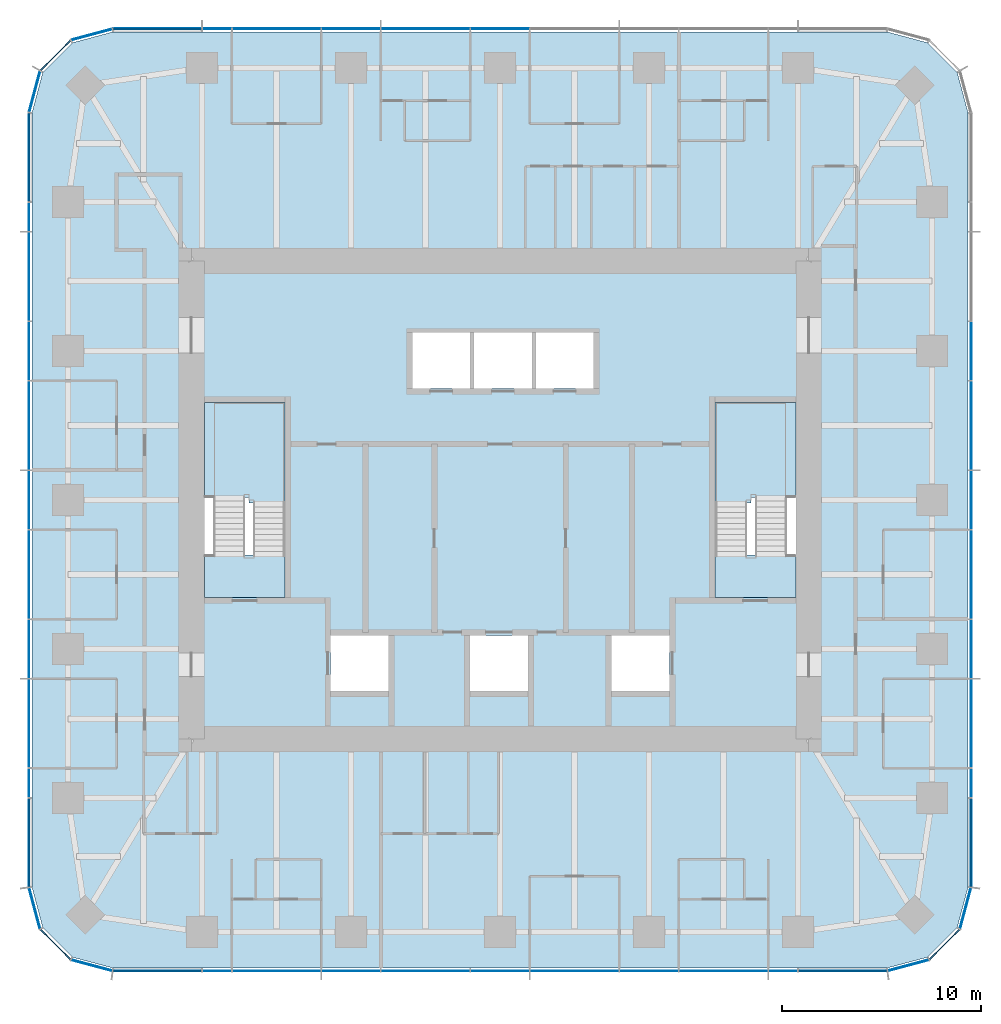
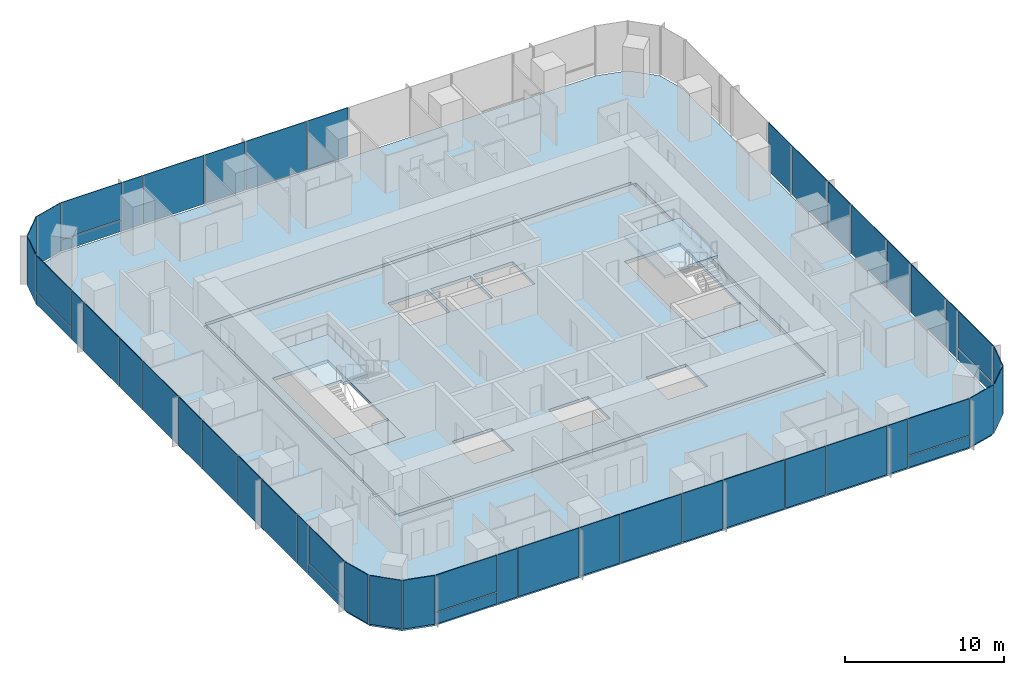
# One storey, part 7 of 12: 51 plates, 6 slabs, 9 elements without a shape of their own.
"""IFC4 building model written with IfcOpenShell, lengths in metres."""

from ifc_helpers import new_model, si_unit, direction, frame, origin, origin_2d, place, context, subcontext, project, spatial, polyline, rectangle, outline, extrude, material, layer, layer_set, type_object, element, aggregate, save


model = new_model("IFC4")

# Units and contexts
model_context = context("Model", 3, precision=1e-05, world=origin(), true_north=direction((0.0, 1.0)))
body_context = subcontext(model_context, "Body", "Model", "MODEL_VIEW")
ifc_project = project(units=[si_unit("LENGTHUNIT", "METRE"), si_unit("AREAUNIT", "SQUARE_METRE"), si_unit("VOLUMEUNIT", "CUBIC_METRE"), si_unit("PLANEANGLEUNIT", "RADIAN"), si_unit("MASSUNIT", "GRAM", prefix="KILO")], contexts=[model_context])

# Site, building, storey
site_placement = place(None, origin())
site = spatial("IfcSite", under=ifc_project, at=site_placement, CompositionType="ELEMENT")
building_placement = place(site_placement, origin())
building = spatial("IfcBuilding", under=site, at=building_placement, Name="Khuree Lantern Residences", CompositionType="ELEMENT")
storey_placement = place(building_placement, frame((0.0, 0.0, 312.0)))
storey = spatial("IfcBuildingStorey", under=building, at=storey_placement, Name="L78", CompositionType="ELEMENT", Elevation=312.0)

# Slab
ifc_material_1 = material(Name="Concrete C35/45", Category="concrete")
ifc_layer_1 = layer(ifc_material_1, 0.25)
ifc_layer_set_1 = layer_set([ifc_layer_1], Name="CFL250 CORE FLOOR SLAB 250")
slab_type_1 = type_object("IfcSlabType", Name="CFL250 CORE FLOOR SLAB 250", PredefinedType="FLOOR", material=ifc_layer_set_1)
slab_1_placement = place(storey_placement, frame((0.0, 0.0, -0.25)))
element("IfcSlab", 1, at=slab_1_placement, inside=storey, type_object=slab_type_1, Name="Core floor L78", PredefinedType="FLOOR", context=body_context, shape_type="SweptSolid", body=[
    extrude(outline(polyline([(-15.5, -12.0), (-15.5, 12.0), (15.5, 12.0), (15.5, -12.0), (-15.5, -12.0)]), holes=[polyline([(10.800048828125, 4.89990234375), (10.800048828125, -4.89990234375), (14.85009765625, -4.89990234375), (14.85009765625, 4.89990234375), (10.800048828125, 4.89990234375)]), polyline([(5.60009765625, -6.800048828125), (5.60009765625, -9.60009765625), (8.5, -9.60009765625), (8.5, -6.800048828125), (5.60009765625, -6.800048828125)]), polyline([(1.800048828125, 8.39990234375), (1.800048828125, 5.60009765625), (4.699951171875, 5.60009765625), (4.699951171875, 8.39990234375), (1.800048828125, 8.39990234375)]), polyline([(-1.300048828125, 8.39990234375), (-1.300048828125, 5.60009765625), (1.60009765625, 5.60009765625), (1.60009765625, 8.39990234375), (-1.300048828125, 8.39990234375)]), polyline([(-1.5, -6.800048828125), (-1.5, -9.60009765625), (1.39990234375, -9.60009765625), (1.39990234375, -6.800048828125), (-1.5, -6.800048828125)]), polyline([(-4.39990234375, 8.39990234375), (-4.39990234375, 5.60009765625), (-1.5, 5.60009765625), (-1.5, 8.39990234375), (-4.39990234375, 8.39990234375)]), polyline([(-8.5, -6.800048828125), (-8.5, -9.60009765625), (-5.60009765625, -9.60009765625), (-5.60009765625, -6.800048828125), (-8.5, -6.800048828125)]), polyline([(-14.85009765625, 4.89990234375), (-14.85009765625, -4.89990234375), (-10.800048828125, -4.89990234375), (-10.800048828125, 4.89990234375), (-14.85009765625, 4.89990234375)])]), origin(), (0.0, 0.0, 1.0), 0.25),
])

# Curtain wall, plates
ifc_material_2 = material(Name="Bronze anodised aluminium", Category="aluminium")
curtain_wall_type_1 = type_object("IfcCurtainWallType", Name="CW-T2 TOWER CORNER CURTAIN WALL", PredefinedType="USERDEFINED", material=ifc_material_2)
curtain_wall_1_placement = place(storey_placement, origin())
curtain_wall_1 = element("IfcCurtainWall", 2, at=curtain_wall_1_placement, inside=storey, type_object=curtain_wall_type_1, Name="L78 SOUTH-EAST CORNER CURTAIN WALL", ObjectType="Faceted corner curtain wall", PredefinedType="USERDEFINED")
ifc_material_3 = material(Name="Bronze tinted triple glazing", Category="glass")
ifc_layer_2 = layer(ifc_material_3, 0.048095703125)
ifc_layer_set_2 = layer_set([ifc_layer_2], Name="FACET PANEL P4")
plate_type_1 = type_object("IfcPlateType", Name="FACET PANEL P4", PredefinedType="CURTAIN_PANEL", material=ifc_layer_set_2)
plate_1_placement = place(storey_placement, frame((20.498046875, -23.369140625, 0.0), z_axis=(0.0, 0.0, 1.0), x_axis=(0.965925861257, 0.2588189146, 0.0)))
plate_1 = element("IfcPlate", 3, at=plate_1_placement, type_object=plate_type_1, Name="L78 SOUTH-EAST CORNER PANEL 1.1", PredefinedType="CURTAIN_PANEL", context=body_context, shape_type="SweptSolid", body=[
    extrude(rectangle(XDim=2.09814453125, YDim=0.048095703125, at=origin_2d()), origin(), (0.0, 0.0, 1.0), 3.75),
])
plate_2_placement = place(storey_placement, frame((22.318603515625, -22.318603515625, 0.0), z_axis=(0.0, 0.0, 1.0), x_axis=(0.707106781187, 0.707106781187, 0.0)))
plate_2 = element("IfcPlate", 4, at=plate_2_placement, type_object=plate_type_1, Name="L78 SOUTH-EAST CORNER PANEL 2.1", PredefinedType="CURTAIN_PANEL", context=body_context, shape_type="SweptSolid", body=[
    extrude(rectangle(XDim=2.093994140625, YDim=0.048095703125, at=origin_2d()), origin(), (0.0, 0.0, 1.0), 3.75),
])
plate_3_placement = place(storey_placement, frame((23.369140625, -20.498046875, 0.0), z_axis=(0.0, 0.0, 1.0), x_axis=(0.2588189146, 0.965925861257, 0.0)))
plate_3 = element("IfcPlate", 5, at=plate_3_placement, type_object=plate_type_1, Name="L78 SOUTH-EAST CORNER PANEL 3.1", PredefinedType="CURTAIN_PANEL", context=body_context, shape_type="SweptSolid", body=[
    extrude(rectangle(XDim=2.09814453125, YDim=0.048095703125, at=origin_2d()), origin(), (0.0, 0.0, 1.0), 3.75),
])
aggregate(curtain_wall_1, [plate_1, plate_2, plate_3])

curtain_wall_2_placement = place(storey_placement, origin())
curtain_wall_2 = element("IfcCurtainWall", 6, at=curtain_wall_2_placement, inside=storey, type_object=curtain_wall_type_1, Name="L78 NORTH-WEST CORNER CURTAIN WALL", ObjectType="Faceted corner curtain wall", PredefinedType="USERDEFINED")
plate_4_placement = place(storey_placement, frame((-20.498046875, 23.369140625, 0.0), z_axis=(0.0, 0.0, 1.0), x_axis=(-0.965925861257, -0.2588189146, 0.0)))
plate_4 = element("IfcPlate", 7, at=plate_4_placement, type_object=plate_type_1, Name="L78 NORTH-WEST CORNER PANEL 29.1", PredefinedType="CURTAIN_PANEL", context=body_context, shape_type="SweptSolid", body=[
    extrude(rectangle(XDim=2.09814453125, YDim=0.048095703125, at=origin_2d()), origin(), (0.0, 0.0, 1.0), 3.75),
])
plate_5_placement = place(storey_placement, frame((-22.318603515625, 22.318603515625, 0.0), z_axis=(0.0, 0.0, 1.0), x_axis=(-0.707106781187, -0.707106781187, 0.0)))
plate_5 = element("IfcPlate", 8, at=plate_5_placement, type_object=plate_type_1, Name="L78 NORTH-WEST CORNER PANEL 30.1", PredefinedType="CURTAIN_PANEL", context=body_context, shape_type="SweptSolid", body=[
    extrude(rectangle(XDim=2.093994140625, YDim=0.048095703125, at=origin_2d()), origin(), (0.0, 0.0, 1.0), 3.75),
])
plate_6_placement = place(storey_placement, frame((-23.369140625, 20.498046875, 0.0), z_axis=(0.0, 0.0, 1.0), x_axis=(-0.2588189146, -0.965925861257, 0.0)))
plate_6 = element("IfcPlate", 9, at=plate_6_placement, type_object=plate_type_1, Name="L78 NORTH-WEST CORNER PANEL 31.1", PredefinedType="CURTAIN_PANEL", context=body_context, shape_type="SweptSolid", body=[
    extrude(rectangle(XDim=2.09814453125, YDim=0.048095703125, at=origin_2d()), origin(), (0.0, 0.0, 1.0), 3.75),
])
aggregate(curtain_wall_2, [plate_4, plate_5, plate_6])

curtain_wall_3_placement = place(storey_placement, origin())
curtain_wall_3 = element("IfcCurtainWall", 10, at=curtain_wall_3_placement, inside=storey, type_object=curtain_wall_type_1, Name="L78 SOUTH-WEST CORNER CURTAIN WALL", ObjectType="Faceted corner curtain wall", PredefinedType="USERDEFINED")
plate_7_placement = place(storey_placement, frame((-23.369140625, -20.498046875, 0.0), z_axis=(0.0, 0.0, 1.0), x_axis=(0.2588189146, -0.965925861257, 0.0)))
plate_7 = element("IfcPlate", 11, at=plate_7_placement, type_object=plate_type_1, Name="L78 SOUTH-WEST CORNER PANEL 43.1", PredefinedType="CURTAIN_PANEL", context=body_context, shape_type="SweptSolid", body=[
    extrude(rectangle(XDim=2.09814453125, YDim=0.048095703125, at=origin_2d()), origin(), (0.0, 0.0, 1.0), 3.75),
])
plate_8_placement = place(storey_placement, frame((-22.318603515625, -22.318603515625, 0.0), z_axis=(0.0, 0.0, 1.0), x_axis=(0.707106781187, -0.707106781187, 0.0)))
plate_8 = element("IfcPlate", 12, at=plate_8_placement, type_object=plate_type_1, Name="L78 SOUTH-WEST CORNER PANEL 44.1", PredefinedType="CURTAIN_PANEL", context=body_context, shape_type="SweptSolid", body=[
    extrude(rectangle(XDim=2.093994140625, YDim=0.048095703125, at=origin_2d()), origin(), (0.0, 0.0, 1.0), 3.75),
])
plate_9_placement = place(storey_placement, frame((-20.498046875, -23.369140625, 0.0), z_axis=(0.0, 0.0, 1.0), x_axis=(0.965925861257, -0.2588189146, 0.0)))
plate_9 = element("IfcPlate", 13, at=plate_9_placement, type_object=plate_type_1, Name="L78 SOUTH-WEST CORNER PANEL 45.1", PredefinedType="CURTAIN_PANEL", context=body_context, shape_type="SweptSolid", body=[
    extrude(rectangle(XDim=2.09814453125, YDim=0.048095703125, at=origin_2d()), origin(), (0.0, 0.0, 1.0), 3.75),
])
aggregate(curtain_wall_3, [plate_7, plate_8, plate_9])

curtain_wall_type_2 = type_object("IfcCurtainWallType", Name="CW-T1 TOWER FACE CURTAIN WALL", PredefinedType="USERDEFINED", material=ifc_material_2)
curtain_wall_4_placement = place(storey_placement, origin())
curtain_wall_4 = element("IfcCurtainWall", 14, at=curtain_wall_4_placement, inside=storey, type_object=curtain_wall_type_2, Name="L78 EAST FACE CURTAIN WALL", ObjectType="Stick-built curtain wall", PredefinedType="USERDEFINED")
ifc_material_4 = material(Name="Bronze tinted triple glazing with a ceramic-fritted spandrel band", Category="glass")
ifc_layer_3 = layer(ifc_material_4, 0.048095703125)
ifc_layer_set_3 = layer_set([ifc_layer_3], Name="FIXED LIGHT PANEL P11")
plate_type_2 = type_object("IfcPlateType", Name="FIXED LIGHT PANEL P11", PredefinedType="CURTAIN_PANEL", material=ifc_layer_set_3)
plate_10_placement = place(storey_placement, frame((23.64990234375, -11.219970703125, 0.0), z_axis=(0.0, 0.0, 1.0), x_axis=(0.0, 1.0, 0.0)))
plate_10 = element("IfcPlate", 15, at=plate_10_placement, type_object=plate_type_2, Name="L78 EAST FACE PANEL 6.1", PredefinedType="CURTAIN_PANEL", context=body_context, shape_type="SweptSolid", body=[
    extrude(rectangle(XDim=4.423095703125, YDim=0.048095703125, at=origin_2d()), origin(), (0.0, 0.0, 1.0), 3.75),
])
plate_11_placement = place(storey_placement, frame((23.64990234375, -3.739990234375, 0.0), z_axis=(0.0, 0.0, 1.0), x_axis=(0.0, 1.0, 0.0)))
plate_11 = element("IfcPlate", 16, at=plate_11_placement, type_object=plate_type_2, Name="L78 EAST FACE PANEL 8.1", PredefinedType="CURTAIN_PANEL", context=body_context, shape_type="SweptSolid", body=[
    extrude(rectangle(XDim=4.423095703125, YDim=0.048095703125, at=origin_2d()), origin(), (0.0, 0.0, 1.0), 3.75),
])
plate_12_placement = place(storey_placement, frame((23.64990234375, 3.739990234375, 0.0), z_axis=(0.0, 0.0, 1.0), x_axis=(0.0, 1.0, 0.0)))
plate_12 = element("IfcPlate", 17, at=plate_12_placement, type_object=plate_type_2, Name="L78 EAST FACE PANEL 10.1", PredefinedType="CURTAIN_PANEL", context=body_context, shape_type="SweptSolid", body=[
    extrude(rectangle(XDim=4.423095703125, YDim=0.048095703125, at=origin_2d()), origin(), (0.0, 0.0, 1.0), 3.75),
])

curtain_wall_5_placement = place(storey_placement, origin())
curtain_wall_5 = element("IfcCurtainWall", 18, at=curtain_wall_5_placement, inside=storey, type_object=curtain_wall_type_2, Name="L78 NORTH FACE CURTAIN WALL", ObjectType="Stick-built curtain wall", PredefinedType="USERDEFINED")
plate_13_placement = place(storey_placement, frame((-3.739990234375, 23.64990234375, 0.0), z_axis=(0.0, 0.0, 1.0), x_axis=(-1.0, 0.0, 0.0)))
plate_13 = element("IfcPlate", 19, at=plate_13_placement, type_object=plate_type_2, Name="L78 NORTH FACE PANEL 24.1", PredefinedType="CURTAIN_PANEL", context=body_context, shape_type="SweptSolid", body=[
    extrude(rectangle(XDim=4.423095703125, YDim=0.048095703125, at=origin_2d()), origin(), (0.0, 0.0, 1.0), 3.75),
])
plate_14_placement = place(storey_placement, frame((-11.219970703125, 23.64990234375, 0.0), z_axis=(0.0, 0.0, 1.0), x_axis=(-1.0, 0.0, 0.0)))
plate_14 = element("IfcPlate", 20, at=plate_14_placement, type_object=plate_type_2, Name="L78 NORTH FACE PANEL 26.1", PredefinedType="CURTAIN_PANEL", context=body_context, shape_type="SweptSolid", body=[
    extrude(rectangle(XDim=4.423095703125, YDim=0.048095703125, at=origin_2d()), origin(), (0.0, 0.0, 1.0), 3.75),
])

curtain_wall_6_placement = place(storey_placement, origin())
curtain_wall_6 = element("IfcCurtainWall", 21, at=curtain_wall_6_placement, inside=storey, type_object=curtain_wall_type_2, Name="L78 WEST FACE CURTAIN WALL", ObjectType="Stick-built curtain wall", PredefinedType="USERDEFINED")
plate_15_placement = place(storey_placement, frame((-23.64990234375, 11.219970703125, 0.0), z_axis=(0.0, 0.0, 1.0), x_axis=(0.0, -1.0, 0.0)))
plate_15 = element("IfcPlate", 22, at=plate_15_placement, type_object=plate_type_2, Name="L78 WEST FACE PANEL 34.1", PredefinedType="CURTAIN_PANEL", context=body_context, shape_type="SweptSolid", body=[
    extrude(rectangle(XDim=4.423095703125, YDim=0.048095703125, at=origin_2d()), origin(), (0.0, 0.0, 1.0), 3.75),
])
plate_16_placement = place(storey_placement, frame((-23.64990234375, 3.739990234375, 0.0), z_axis=(0.0, 0.0, 1.0), x_axis=(0.0, -1.0, 0.0)))
plate_16 = element("IfcPlate", 23, at=plate_16_placement, type_object=plate_type_2, Name="L78 WEST FACE PANEL 36.1", PredefinedType="CURTAIN_PANEL", context=body_context, shape_type="SweptSolid", body=[
    extrude(rectangle(XDim=4.423095703125, YDim=0.048095703125, at=origin_2d()), origin(), (0.0, 0.0, 1.0), 3.75),
])
plate_17_placement = place(storey_placement, frame((-23.64990234375, -3.739990234375, 0.0), z_axis=(0.0, 0.0, 1.0), x_axis=(0.0, -1.0, 0.0)))
plate_17 = element("IfcPlate", 24, at=plate_17_placement, type_object=plate_type_2, Name="L78 WEST FACE PANEL 38.1", PredefinedType="CURTAIN_PANEL", context=body_context, shape_type="SweptSolid", body=[
    extrude(rectangle(XDim=4.423095703125, YDim=0.048095703125, at=origin_2d()), origin(), (0.0, 0.0, 1.0), 3.75),
])
plate_18_placement = place(storey_placement, frame((-23.64990234375, -11.219970703125, 0.0), z_axis=(0.0, 0.0, 1.0), x_axis=(0.0, -1.0, 0.0)))
plate_18 = element("IfcPlate", 25, at=plate_18_placement, type_object=plate_type_2, Name="L78 WEST FACE PANEL 40.1", PredefinedType="CURTAIN_PANEL", context=body_context, shape_type="SweptSolid", body=[
    extrude(rectangle(XDim=4.423095703125, YDim=0.048095703125, at=origin_2d()), origin(), (0.0, 0.0, 1.0), 3.75),
])

curtain_wall_7_placement = place(storey_placement, origin())
curtain_wall_7 = element("IfcCurtainWall", 26, at=curtain_wall_7_placement, inside=storey, type_object=curtain_wall_type_2, Name="L78 SOUTH FACE CURTAIN WALL", ObjectType="Stick-built curtain wall", PredefinedType="USERDEFINED")
plate_19_placement = place(storey_placement, frame((-11.219970703125, -23.64990234375, 0.0), z_axis=(0.0, 0.0, 1.0), x_axis=(1.0, 0.0, 0.0)))
plate_19 = element("IfcPlate", 27, at=plate_19_placement, type_object=plate_type_2, Name="L78 SOUTH FACE PANEL 48.1", PredefinedType="CURTAIN_PANEL", context=body_context, shape_type="SweptSolid", body=[
    extrude(rectangle(XDim=4.423095703125, YDim=0.048095703125, at=origin_2d()), origin(), (0.0, 0.0, 1.0), 3.75),
])
plate_20_placement = place(storey_placement, frame((-3.739990234375, -23.64990234375, 0.0), z_axis=(0.0, 0.0, 1.0), x_axis=(1.0, 0.0, 0.0)))
plate_20 = element("IfcPlate", 28, at=plate_20_placement, type_object=plate_type_2, Name="L78 SOUTH FACE PANEL 50.1", PredefinedType="CURTAIN_PANEL", context=body_context, shape_type="SweptSolid", body=[
    extrude(rectangle(XDim=4.423095703125, YDim=0.048095703125, at=origin_2d()), origin(), (0.0, 0.0, 1.0), 3.75),
])
plate_21_placement = place(storey_placement, frame((3.739990234375, -23.64990234375, 0.0), z_axis=(0.0, 0.0, 1.0), x_axis=(1.0, 0.0, 0.0)))
plate_21 = element("IfcPlate", 29, at=plate_21_placement, type_object=plate_type_2, Name="L78 SOUTH FACE PANEL 52.1", PredefinedType="CURTAIN_PANEL", context=body_context, shape_type="SweptSolid", body=[
    extrude(rectangle(XDim=4.423095703125, YDim=0.048095703125, at=origin_2d()), origin(), (0.0, 0.0, 1.0), 3.75),
])
plate_22_placement = place(storey_placement, frame((11.219970703125, -23.64990234375, 0.0), z_axis=(0.0, 0.0, 1.0), x_axis=(1.0, 0.0, 0.0)))
plate_22 = element("IfcPlate", 30, at=plate_22_placement, type_object=plate_type_2, Name="L78 SOUTH FACE PANEL 54.1", PredefinedType="CURTAIN_PANEL", context=body_context, shape_type="SweptSolid", body=[
    extrude(rectangle(XDim=4.423095703125, YDim=0.048095703125, at=origin_2d()), origin(), (0.0, 0.0, 1.0), 3.75),
])

# Slab
ifc_layer_4 = layer(ifc_material_1, 0.25)
ifc_layer_set_4 = layer_set([ifc_layer_4], Name="FS250 FLOOR SLAB 250")
slab_type_2 = type_object("IfcSlabType", Name="FS250 FLOOR SLAB 250", PredefinedType="FLOOR", material=ifc_layer_set_4)
slab_2_placement = place(storey_placement, frame((0.0, 0.0, -0.25)))
element("IfcSlab", 31, at=slab_2_placement, inside=storey, type_object=slab_type_2, Name="Floor slab L78", PredefinedType="FLOOR", context=body_context, shape_type="SweptSolid", body=[
    extrude(outline(polyline([(-21.47509765625, -22.95751953125), (-22.95751953125, -21.47509765625), (-23.5, -19.449951171875), (-23.5, 19.449951171875), (-22.95751953125, 21.47509765625), (-21.47509765625, 22.95751953125), (-19.449951171875, 23.5), (19.449951171875, 23.5), (21.47509765625, 22.95751953125), (22.95751953125, 21.47509765625), (23.5, 19.449951171875), (23.5, -19.449951171875), (22.95751953125, -21.47509765625), (21.47509765625, -22.95751953125), (19.449951171875, -23.5), (-19.449951171875, -23.5), (-21.47509765625, -22.95751953125)]), holes=[polyline([(15.75, 12.0), (15.5, 12.0), (15.5, 12.25), (-15.5, 12.25), (-15.5, 12.0), (-15.75, 12.0), (-15.75, -12.0), (-15.5, -12.0), (-15.5, -12.25), (15.5, -12.25), (15.5, -12.0), (15.75, -12.0), (15.75, 12.0)])]), origin(), (0.0, 0.0, 1.0), 0.25),
])

# Plate
ifc_material_5 = material(Name="Bronze tinted triple glazing, two aluminium-framed sashes in one frame", Category="aluminium")
ifc_layer_5 = layer(ifc_material_5, 0.048095703125)
ifc_layer_set_5 = layer_set([ifc_layer_5], Name="SASH PAIR PANEL P12")
plate_type_3 = type_object("IfcPlateType", Name="SASH PAIR PANEL P12", PredefinedType="CURTAIN_PANEL", material=ifc_layer_set_5)
plate_23_placement = place(storey_placement, frame((23.64990234375, -7.47998046875, 0.0), z_axis=(0.0, 0.0, 1.0), x_axis=(0.0, 1.0, 0.0)))
plate_23 = element("IfcPlate", 32, at=plate_23_placement, type_object=plate_type_3, Name="L78 EAST FACE PANEL 7.1", PredefinedType="CURTAIN_PANEL", context=body_context, shape_type="SweptSolid", body=[
    extrude(rectangle(XDim=2.927001953125, YDim=0.048095703125, at=origin_2d()), origin(), (0.0, 0.0, 1.0), 3.75),
])

plate_24_placement = place(storey_placement, frame((23.64990234375, 0.0, 0.0), z_axis=(0.0, 0.0, 1.0), x_axis=(0.0, 1.0, 0.0)))
plate_24 = element("IfcPlate", 33, at=plate_24_placement, type_object=plate_type_3, Name="L78 EAST FACE PANEL 9.1", PredefinedType="CURTAIN_PANEL", context=body_context, shape_type="SweptSolid", body=[
    extrude(rectangle(XDim=2.927001953125, YDim=0.048095703125, at=origin_2d()), origin(), (0.0, 0.0, 1.0), 3.75),
])

plate_25_placement = place(storey_placement, frame((23.64990234375, 7.47998046875, 0.0), z_axis=(0.0, 0.0, 1.0), x_axis=(0.0, 1.0, 0.0)))
plate_25 = element("IfcPlate", 34, at=plate_25_placement, type_object=plate_type_3, Name="L78 EAST FACE PANEL 11.1", PredefinedType="CURTAIN_PANEL", context=body_context, shape_type="SweptSolid", body=[
    extrude(rectangle(XDim=2.927001953125, YDim=0.048095703125, at=origin_2d()), origin(), (0.0, 0.0, 1.0), 3.75),
])

plate_26_placement = place(storey_placement, frame((0.0, 23.64990234375, 0.0), z_axis=(0.0, 0.0, 1.0), x_axis=(-1.0, 0.0, 0.0)))
plate_26 = element("IfcPlate", 35, at=plate_26_placement, type_object=plate_type_3, Name="L78 NORTH FACE PANEL 23.1", PredefinedType="CURTAIN_PANEL", context=body_context, shape_type="SweptSolid", body=[
    extrude(rectangle(XDim=2.927001953125, YDim=0.048095703125, at=origin_2d()), origin(), (0.0, 0.0, 1.0), 3.75),
])

plate_27_placement = place(storey_placement, frame((-7.47998046875, 23.64990234375, 0.0), z_axis=(0.0, 0.0, 1.0), x_axis=(-1.0, 0.0, 0.0)))
plate_27 = element("IfcPlate", 36, at=plate_27_placement, type_object=plate_type_3, Name="L78 NORTH FACE PANEL 25.1", PredefinedType="CURTAIN_PANEL", context=body_context, shape_type="SweptSolid", body=[
    extrude(rectangle(XDim=2.927001953125, YDim=0.048095703125, at=origin_2d()), origin(), (0.0, 0.0, 1.0), 3.75),
])

plate_28_placement = place(storey_placement, frame((-23.64990234375, 7.47998046875, 0.0), z_axis=(0.0, 0.0, 1.0), x_axis=(0.0, -1.0, 0.0)))
plate_28 = element("IfcPlate", 37, at=plate_28_placement, type_object=plate_type_3, Name="L78 WEST FACE PANEL 35.1", PredefinedType="CURTAIN_PANEL", context=body_context, shape_type="SweptSolid", body=[
    extrude(rectangle(XDim=2.927001953125, YDim=0.048095703125, at=origin_2d()), origin(), (0.0, 0.0, 1.0), 3.75),
])

plate_29_placement = place(storey_placement, frame((-23.64990234375, 0.0, 0.0), z_axis=(0.0, 0.0, 1.0), x_axis=(0.0, -1.0, 0.0)))
plate_29 = element("IfcPlate", 38, at=plate_29_placement, type_object=plate_type_3, Name="L78 WEST FACE PANEL 37.1", PredefinedType="CURTAIN_PANEL", context=body_context, shape_type="SweptSolid", body=[
    extrude(rectangle(XDim=2.927001953125, YDim=0.048095703125, at=origin_2d()), origin(), (0.0, 0.0, 1.0), 3.75),
])

plate_30_placement = place(storey_placement, frame((-23.64990234375, -7.47998046875, 0.0), z_axis=(0.0, 0.0, 1.0), x_axis=(0.0, -1.0, 0.0)))
plate_30 = element("IfcPlate", 39, at=plate_30_placement, type_object=plate_type_3, Name="L78 WEST FACE PANEL 39.1", PredefinedType="CURTAIN_PANEL", context=body_context, shape_type="SweptSolid", body=[
    extrude(rectangle(XDim=2.927001953125, YDim=0.048095703125, at=origin_2d()), origin(), (0.0, 0.0, 1.0), 3.75),
])

plate_31_placement = place(storey_placement, frame((-7.47998046875, -23.64990234375, 0.0), z_axis=(0.0, 0.0, 1.0), x_axis=(1.0, 0.0, 0.0)))
plate_31 = element("IfcPlate", 40, at=plate_31_placement, type_object=plate_type_3, Name="L78 SOUTH FACE PANEL 49.1", PredefinedType="CURTAIN_PANEL", context=body_context, shape_type="SweptSolid", body=[
    extrude(rectangle(XDim=2.927001953125, YDim=0.048095703125, at=origin_2d()), origin(), (0.0, 0.0, 1.0), 3.75),
])

plate_32_placement = place(storey_placement, frame((0.0, -23.64990234375, 0.0), z_axis=(0.0, 0.0, 1.0), x_axis=(1.0, 0.0, 0.0)))
plate_32 = element("IfcPlate", 41, at=plate_32_placement, type_object=plate_type_3, Name="L78 SOUTH FACE PANEL 51.1", PredefinedType="CURTAIN_PANEL", context=body_context, shape_type="SweptSolid", body=[
    extrude(rectangle(XDim=2.927001953125, YDim=0.048095703125, at=origin_2d()), origin(), (0.0, 0.0, 1.0), 3.75),
])

plate_33_placement = place(storey_placement, frame((7.47998046875, -23.64990234375, 0.0), z_axis=(0.0, 0.0, 1.0), x_axis=(1.0, 0.0, 0.0)))
plate_33 = element("IfcPlate", 42, at=plate_33_placement, type_object=plate_type_3, Name="L78 SOUTH FACE PANEL 53.1", PredefinedType="CURTAIN_PANEL", context=body_context, shape_type="SweptSolid", body=[
    extrude(rectangle(XDim=2.927001953125, YDim=0.048095703125, at=origin_2d()), origin(), (0.0, 0.0, 1.0), 3.75),
])

ifc_material_6 = material(Name="Bronze tinted triple glazing, aluminium-framed sash", Category="aluminium")
ifc_layer_6 = layer(ifc_material_6, 0.048095703125)
ifc_layer_set_6 = layer_set([ifc_layer_6], Name="SASH PANEL P3")
plate_type_4 = type_object("IfcPlateType", Name="SASH PANEL P3", PredefinedType="CURTAIN_PANEL", material=ifc_layer_set_6)
plate_34_placement = place(storey_placement, frame((23.64990234375, -14.2119140625, 0.0), z_axis=(0.0, 0.0, 1.0), x_axis=(0.0, 1.0, 0.0)))
plate_34 = element("IfcPlate", 43, at=plate_34_placement, type_object=plate_type_4, Name="L78 EAST FACE PANEL 5.1", PredefinedType="CURTAIN_PANEL", context=body_context, shape_type="SweptSolid", body=[
    extrude(rectangle(XDim=1.430908203125, YDim=0.048095703125, at=origin_2d()), origin(), (0.0, 0.0, 1.0), 3.75),
])

plate_35_placement = place(storey_placement, frame((-14.2119140625, 23.64990234375, 0.0), z_axis=(0.0, 0.0, 1.0), x_axis=(-1.0, 0.0, 0.0)))
plate_35 = element("IfcPlate", 44, at=plate_35_placement, type_object=plate_type_4, Name="L78 NORTH FACE PANEL 27.1", PredefinedType="CURTAIN_PANEL", context=body_context, shape_type="SweptSolid", body=[
    extrude(rectangle(XDim=1.430908203125, YDim=0.048095703125, at=origin_2d()), origin(), (0.0, 0.0, 1.0), 3.75),
])

plate_36_placement = place(storey_placement, frame((-23.64990234375, 14.2119140625, 0.0), z_axis=(0.0, 0.0, 1.0), x_axis=(0.0, -1.0, 0.0)))
plate_36 = element("IfcPlate", 45, at=plate_36_placement, type_object=plate_type_4, Name="L78 WEST FACE PANEL 33.1", PredefinedType="CURTAIN_PANEL", context=body_context, shape_type="SweptSolid", body=[
    extrude(rectangle(XDim=1.430908203125, YDim=0.048095703125, at=origin_2d()), origin(), (0.0, 0.0, 1.0), 3.75),
])

plate_37_placement = place(storey_placement, frame((-23.64990234375, -14.2119140625, 0.0), z_axis=(0.0, 0.0, 1.0), x_axis=(0.0, -1.0, 0.0)))
plate_37 = element("IfcPlate", 46, at=plate_37_placement, type_object=plate_type_4, Name="L78 WEST FACE PANEL 41.1", PredefinedType="CURTAIN_PANEL", context=body_context, shape_type="SweptSolid", body=[
    extrude(rectangle(XDim=1.430908203125, YDim=0.048095703125, at=origin_2d()), origin(), (0.0, 0.0, 1.0), 3.75),
])

plate_38_placement = place(storey_placement, frame((-14.2119140625, -23.64990234375, 0.0), z_axis=(0.0, 0.0, 1.0), x_axis=(1.0, 0.0, 0.0)))
plate_38 = element("IfcPlate", 47, at=plate_38_placement, type_object=plate_type_4, Name="L78 SOUTH FACE PANEL 47.1", PredefinedType="CURTAIN_PANEL", context=body_context, shape_type="SweptSolid", body=[
    extrude(rectangle(XDim=1.430908203125, YDim=0.048095703125, at=origin_2d()), origin(), (0.0, 0.0, 1.0), 3.75),
])

plate_39_placement = place(storey_placement, frame((14.2119140625, -23.64990234375, 0.0), z_axis=(0.0, 0.0, 1.0), x_axis=(1.0, 0.0, 0.0)))
plate_39 = element("IfcPlate", 48, at=plate_39_placement, type_object=plate_type_4, Name="L78 SOUTH FACE PANEL 55.1", PredefinedType="CURTAIN_PANEL", context=body_context, shape_type="SweptSolid", body=[
    extrude(rectangle(XDim=1.430908203125, YDim=0.048095703125, at=origin_2d()), origin(), (0.0, 0.0, 1.0), 3.75),
])

ifc_material_7 = material(Name="Bronze anodised aluminium insulated spandrel", Category="aluminium")
ifc_layer_7 = layer(ifc_material_7, 0.06005859375)
ifc_layer_set_7 = layer_set([ifc_layer_7], Name="SPANDREL PANEL P2")
plate_type_5 = type_object("IfcPlateType", Name="SPANDREL PANEL P2", PredefinedType="CURTAIN_PANEL", material=ifc_layer_set_7)
plate_40_placement = place(storey_placement, frame((23.64990234375, -17.202880859375, 0.0), z_axis=(0.0, 0.0, 1.0), x_axis=(0.0, 1.0, 0.0)))
plate_40 = element("IfcPlate", 49, at=plate_40_placement, type_object=plate_type_5, Name="L78 EAST FACE PANEL 4.1", PredefinedType="CURTAIN_PANEL", context=body_context, shape_type="SweptSolid", body=[
    extrude(rectangle(XDim=4.420654296875, YDim=0.06005859375, at=origin_2d()), origin(), (0.0, 0.0, 1.0), 0.867431640625),
])

plate_41_placement = place(storey_placement, frame((-17.202880859375, 23.64990234375, 0.0), z_axis=(0.0, 0.0, 1.0), x_axis=(-1.0, 0.0, 0.0)))
plate_41 = element("IfcPlate", 50, at=plate_41_placement, type_object=plate_type_5, Name="L78 NORTH FACE PANEL 28.1", PredefinedType="CURTAIN_PANEL", context=body_context, shape_type="SweptSolid", body=[
    extrude(rectangle(XDim=4.420654296875, YDim=0.06005859375, at=origin_2d()), origin(), (0.0, 0.0, 1.0), 0.867431640625),
])

plate_42_placement = place(storey_placement, frame((-23.64990234375, 17.202880859375, 0.0), z_axis=(0.0, 0.0, 1.0), x_axis=(0.0, -1.0, 0.0)))
plate_42 = element("IfcPlate", 51, at=plate_42_placement, type_object=plate_type_5, Name="L78 WEST FACE PANEL 32.1", PredefinedType="CURTAIN_PANEL", context=body_context, shape_type="SweptSolid", body=[
    extrude(rectangle(XDim=4.420654296875, YDim=0.06005859375, at=origin_2d()), origin(), (0.0, 0.0, 1.0), 0.867431640625),
])

plate_43_placement = place(storey_placement, frame((-23.64990234375, -17.202880859375, 0.0), z_axis=(0.0, 0.0, 1.0), x_axis=(0.0, -1.0, 0.0)))
plate_43 = element("IfcPlate", 52, at=plate_43_placement, type_object=plate_type_5, Name="L78 WEST FACE PANEL 42.1", PredefinedType="CURTAIN_PANEL", context=body_context, shape_type="SweptSolid", body=[
    extrude(rectangle(XDim=4.420654296875, YDim=0.06005859375, at=origin_2d()), origin(), (0.0, 0.0, 1.0), 0.867431640625),
])

plate_44_placement = place(storey_placement, frame((-17.202880859375, -23.64990234375, 0.0), z_axis=(0.0, 0.0, 1.0), x_axis=(1.0, 0.0, 0.0)))
plate_44 = element("IfcPlate", 53, at=plate_44_placement, type_object=plate_type_5, Name="L78 SOUTH FACE PANEL 46.1", PredefinedType="CURTAIN_PANEL", context=body_context, shape_type="SweptSolid", body=[
    extrude(rectangle(XDim=4.420654296875, YDim=0.06005859375, at=origin_2d()), origin(), (0.0, 0.0, 1.0), 0.867431640625),
])

plate_45_placement = place(storey_placement, frame((17.202880859375, -23.64990234375, 0.0), z_axis=(0.0, 0.0, 1.0), x_axis=(1.0, 0.0, 0.0)))
plate_45 = element("IfcPlate", 54, at=plate_45_placement, type_object=plate_type_5, Name="L78 SOUTH FACE PANEL 56.1", PredefinedType="CURTAIN_PANEL", context=body_context, shape_type="SweptSolid", body=[
    extrude(rectangle(XDim=4.420654296875, YDim=0.06005859375, at=origin_2d()), origin(), (0.0, 0.0, 1.0), 0.867431640625),
])

# Stair, slabs
ifc_material_8 = material(Name="Concrete C40/50", Category="concrete")
stair_type = type_object("IfcStairType", Name="STAIR ST1 HALF TURN 3600", PredefinedType="HALF_TURN_STAIR", material=ifc_material_8)
stair_1_placement = place(storey_placement, origin())
stair_1 = element("IfcStair", 55, at=stair_1_placement, inside=storey, type_object=stair_type, Name="Stair ST1", PredefinedType="HALF_TURN_STAIR")
ifc_layer_8 = layer(ifc_material_8, 0.199951171875)
ifc_layer_set_8 = layer_set([ifc_layer_8], Name="STAIR LANDING SL1 200")
slab_type_3 = type_object("IfcSlabType", Name="STAIR LANDING SL1 200", PredefinedType="LANDING", material=ifc_layer_set_8)
slab_3_placement = place(storey_placement, frame((0.0, 0.0, -0.199951171875)))
slab_3 = element("IfcSlab", 56, at=slab_3_placement, type_object=slab_type_3, Name="ST1 landing 1", PredefinedType="LANDING", context=body_context, shape_type="SweptSolid", body=[
    extrude(outline(polyline([(-14.85009765625, -4.89990234375), (-10.800048828125, -4.89990234375), (-10.800048828125, -2.760009765625), (-14.85009765625, -2.760009765625), (-14.85009765625, -4.89990234375)])), origin(), (0.0, 0.0, 1.0), 0.199951171875),
])
slab_4_placement = place(storey_placement, frame((0.0, 0.0, 1.756591796875)))
slab_4 = element("IfcSlab", 57, at=slab_4_placement, type_object=slab_type_3, Name="ST1 landing 2", PredefinedType="LANDING", context=body_context, shape_type="SweptSolid", body=[
    extrude(outline(polyline([(-14.85009765625, 0.1201171875), (-14.85009765625, 4.89990234375), (-10.800048828125, 4.89990234375), (-10.800048828125, -0.159912109375), (-12.60009765625, -0.159912109375), (-12.60009765625, 0.1201171875), (-14.85009765625, 0.1201171875)])), origin(), (0.0, 0.0, 1.0), 0.199951171875),
])
aggregate(stair_1, [slab_3, slab_4])

stair_2_placement = place(storey_placement, origin())
stair_2 = element("IfcStair", 58, at=stair_2_placement, inside=storey, type_object=stair_type, Name="Stair ST2", PredefinedType="HALF_TURN_STAIR")
slab_5_placement = place(storey_placement, frame((0.0, 0.0, -0.199951171875)))
slab_5 = element("IfcSlab", 59, at=slab_5_placement, type_object=slab_type_3, Name="ST2 landing 1", PredefinedType="LANDING", context=body_context, shape_type="SweptSolid", body=[
    extrude(outline(polyline([(10.800048828125, -4.89990234375), (14.85009765625, -4.89990234375), (14.85009765625, -2.760009765625), (10.800048828125, -2.760009765625), (10.800048828125, -4.89990234375)])), origin(), (0.0, 0.0, 1.0), 0.199951171875),
])
slab_6_placement = place(storey_placement, frame((0.0, 0.0, 1.756591796875)))
slab_6 = element("IfcSlab", 60, at=slab_6_placement, type_object=slab_type_3, Name="ST2 landing 2", PredefinedType="LANDING", context=body_context, shape_type="SweptSolid", body=[
    extrude(outline(polyline([(14.85009765625, 4.89990234375), (14.85009765625, 0.1201171875), (12.60009765625, 0.1201171875), (12.60009765625, -0.159912109375), (10.800048828125, -0.159912109375), (10.800048828125, 4.89990234375), (14.85009765625, 4.89990234375)])), origin(), (0.0, 0.0, 1.0), 0.199951171875),
])
aggregate(stair_2, [slab_5, slab_6])

# Plate
ifc_layer_9 = layer(ifc_material_3, 0.048095703125)
ifc_layer_set_9 = layer_set([ifc_layer_9], Name="VISION PANEL P1")
plate_type_6 = type_object("IfcPlateType", Name="VISION PANEL P1", PredefinedType="CURTAIN_PANEL", material=ifc_layer_set_9)
plate_46_placement = place(storey_placement, frame((23.64990234375, -17.203369140625, 0.9326171875), z_axis=(0.0, 0.0, 1.0), x_axis=(0.0, 1.0, 0.0)))
plate_46 = element("IfcPlate", 61, at=plate_46_placement, type_object=plate_type_6, Name="L78 EAST FACE PANEL 4.2", PredefinedType="CURTAIN_PANEL", context=body_context, shape_type="SweptSolid", body=[
    extrude(rectangle(XDim=4.421630859375, YDim=0.048095703125, at=origin_2d()), origin(), (0.0, 0.0, 1.0), 2.8173828125),
])

aggregate(curtain_wall_4, [plate_40, plate_46, plate_34, plate_10, plate_23, plate_11, plate_24, plate_12, plate_25])

plate_47_placement = place(storey_placement, frame((-17.203369140625, 23.64990234375, 0.9326171875), z_axis=(0.0, 0.0, 1.0), x_axis=(-1.0, 0.0, 0.0)))
plate_47 = element("IfcPlate", 62, at=plate_47_placement, type_object=plate_type_6, Name="L78 NORTH FACE PANEL 28.2", PredefinedType="CURTAIN_PANEL", context=body_context, shape_type="SweptSolid", body=[
    extrude(rectangle(XDim=4.421630859375, YDim=0.048095703125, at=origin_2d()), origin(), (0.0, 0.0, 1.0), 2.8173828125),
])

aggregate(curtain_wall_5, [plate_26, plate_13, plate_27, plate_14, plate_35, plate_41, plate_47])

plate_48_placement = place(storey_placement, frame((-23.64990234375, 17.203369140625, 0.9326171875), z_axis=(0.0, 0.0, 1.0), x_axis=(0.0, -1.0, 0.0)))
plate_48 = element("IfcPlate", 63, at=plate_48_placement, type_object=plate_type_6, Name="L78 WEST FACE PANEL 32.2", PredefinedType="CURTAIN_PANEL", context=body_context, shape_type="SweptSolid", body=[
    extrude(rectangle(XDim=4.421630859375, YDim=0.048095703125, at=origin_2d()), origin(), (0.0, 0.0, 1.0), 2.8173828125),
])

plate_49_placement = place(storey_placement, frame((-23.64990234375, -17.203369140625, 0.9326171875), z_axis=(0.0, 0.0, 1.0), x_axis=(0.0, -1.0, 0.0)))
plate_49 = element("IfcPlate", 64, at=plate_49_placement, type_object=plate_type_6, Name="L78 WEST FACE PANEL 42.2", PredefinedType="CURTAIN_PANEL", context=body_context, shape_type="SweptSolid", body=[
    extrude(rectangle(XDim=4.421630859375, YDim=0.048095703125, at=origin_2d()), origin(), (0.0, 0.0, 1.0), 2.8173828125),
])

aggregate(curtain_wall_6, [plate_42, plate_48, plate_36, plate_15, plate_28, plate_16, plate_29, plate_17, plate_30, plate_18, plate_37, plate_43, plate_49])

plate_50_placement = place(storey_placement, frame((-17.203369140625, -23.64990234375, 0.9326171875), z_axis=(0.0, 0.0, 1.0), x_axis=(1.0, 0.0, 0.0)))
plate_50 = element("IfcPlate", 65, at=plate_50_placement, type_object=plate_type_6, Name="L78 SOUTH FACE PANEL 46.2", PredefinedType="CURTAIN_PANEL", context=body_context, shape_type="SweptSolid", body=[
    extrude(rectangle(XDim=4.421630859375, YDim=0.048095703125, at=origin_2d()), origin(), (0.0, 0.0, 1.0), 2.8173828125),
])

plate_51_placement = place(storey_placement, frame((17.203369140625, -23.64990234375, 0.9326171875), z_axis=(0.0, 0.0, 1.0), x_axis=(1.0, 0.0, 0.0)))
plate_51 = element("IfcPlate", 66, at=plate_51_placement, type_object=plate_type_6, Name="L78 SOUTH FACE PANEL 56.2", PredefinedType="CURTAIN_PANEL", context=body_context, shape_type="SweptSolid", body=[
    extrude(rectangle(XDim=4.421630859375, YDim=0.048095703125, at=origin_2d()), origin(), (0.0, 0.0, 1.0), 2.8173828125),
])

aggregate(curtain_wall_7, [plate_44, plate_50, plate_38, plate_19, plate_31, plate_20, plate_32, plate_21, plate_33, plate_22, plate_39, plate_45, plate_51])

save(model, "model.ifc")
